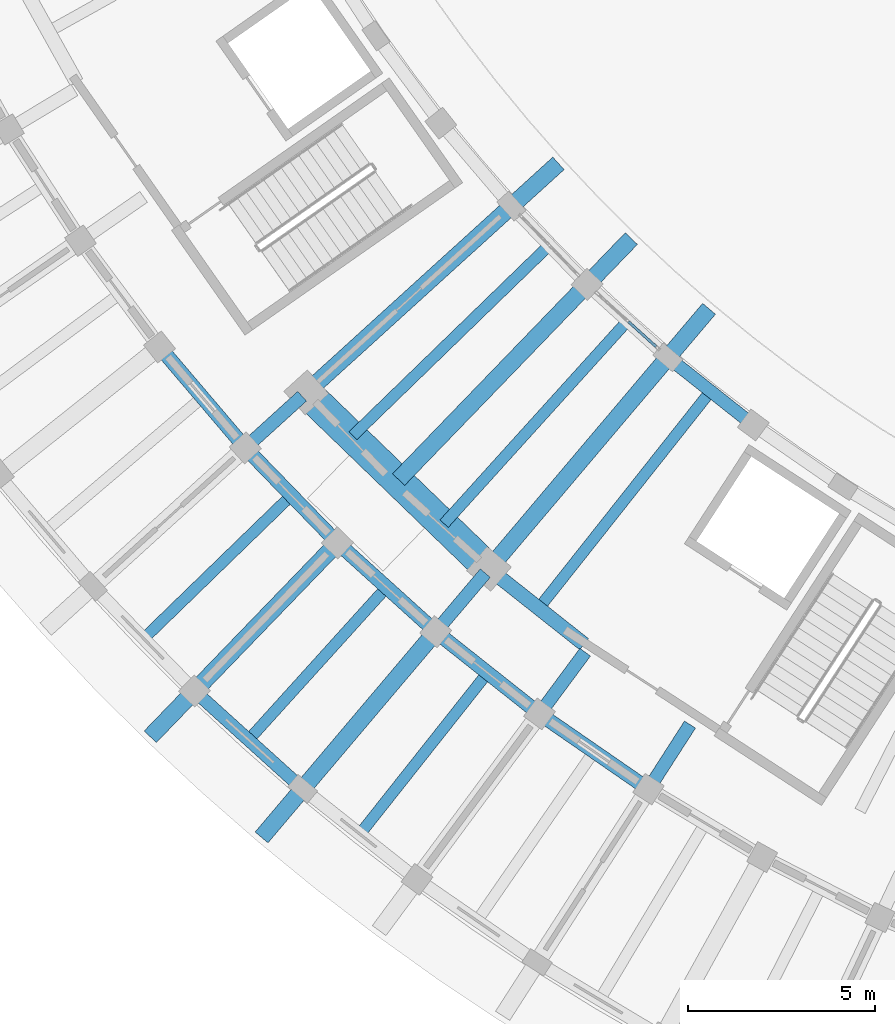
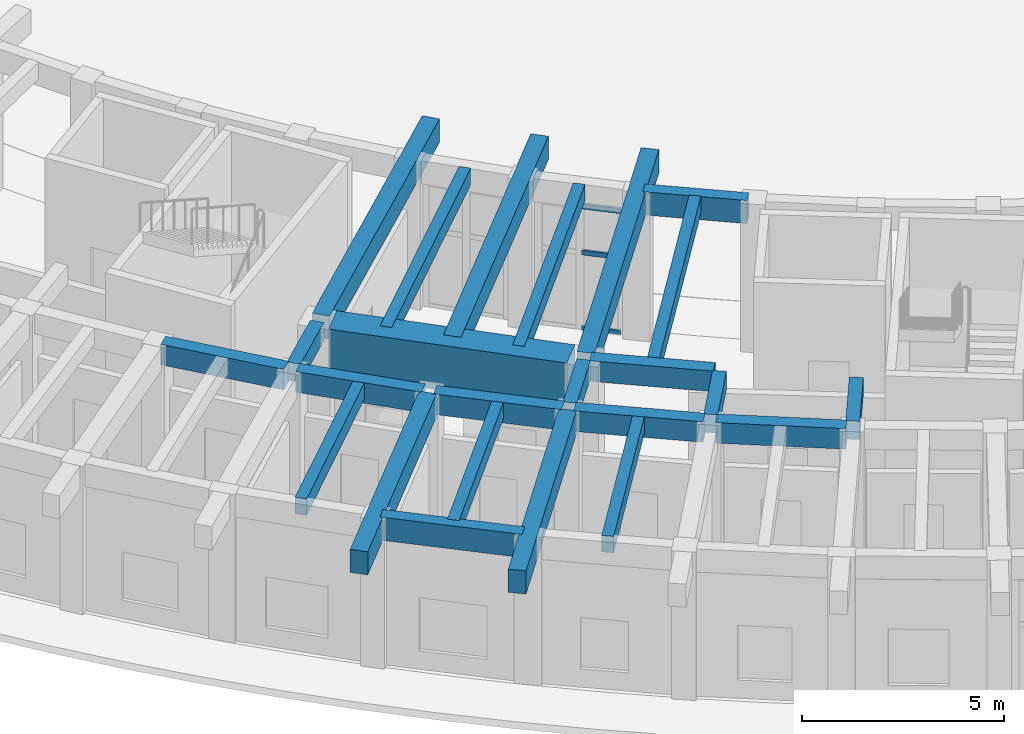
# One storey, part 8 of 132: 24 beams, 3 members, 1 element without a shape of its own.
"""IFC4 building model written with IfcOpenShell, lengths in metres."""

from ifc_helpers import new_model, si_unit, direction, frame, origin, origin_2d, place, context, subcontext, project, spatial, rectangle, hollow_rectangle, extrude, material, material_profile, profile_set, type_object, element, aggregate, save


model = new_model("IFC4")

# Units and contexts
model_context = context("Model", 3, precision=1e-05, world=origin(), true_north=direction((0.0, 1.0)))
body_context = subcontext(model_context, "Body", "Model", "MODEL_VIEW")
ifc_project = project(units=[si_unit("LENGTHUNIT", "METRE"), si_unit("AREAUNIT", "SQUARE_METRE"), si_unit("VOLUMEUNIT", "CUBIC_METRE"), si_unit("PLANEANGLEUNIT", "RADIAN"), si_unit("MASSUNIT", "GRAM", prefix="KILO")], contexts=[model_context])

# Site, building, storey
site_placement = place(None, origin())
site = spatial("IfcSite", under=ifc_project, at=site_placement, CompositionType="ELEMENT")
building_placement = place(site_placement, origin())
building = spatial("IfcBuilding", under=site, at=building_placement, Name="Tanwirah Colonnade Gardens", CompositionType="ELEMENT")
storey_placement = place(building_placement, origin())
storey = spatial("IfcBuildingStorey", under=building, at=storey_placement, Name="L00", CompositionType="ELEMENT", Elevation=0.0)

# Beams
ifc_material_1 = material(Name="Precast concrete C40/50", Category="concrete")
ifc_material_profile_1 = material_profile(ifc_material_1, rectangle(XDim=0.35009765625, YDim=0.550048828125, at=origin_2d()), Name="PC-BM 350x550")
ifc_profile_set_1 = profile_set([ifc_material_profile_1], Name="Precast concrete C40/50")
beam_type_1 = type_object("IfcBeamType", Name="BM-PC350A", PredefinedType="BEAM", material=ifc_profile_set_1)
beam_1_placement = place(storey_placement, frame((26.508544921875, 29.536865234375, 4.2099609375), z_axis=(-0.740219127015, -0.672365707038, 0.0), x_axis=(0.672365707038, -0.740219127015, 0.0)))
element("IfcBeam", 1, at=beam_1_placement, inside=storey, type_object=beam_type_1, Name="Block C L00 Corridor Tie Beam 7", PredefinedType="BEAM", context=body_context, shape_type="SweptSolid", body=[
    extrude(rectangle(XDim=0.35009765625, YDim=0.550048828125, at=origin_2d()), origin(), (0.0, 0.0, 1.0), 1.899658203125),
])
for number, where, z_axis, x_axis, name in (
    (2, (31.401611328125, 24.81201171875, 4.2099609375), (-0.646155325581, -0.763205932382, 0.0), (0.763205932382, -0.646155325581, 0.0), "Block C L00 Corridor Tie Beam 9"),
    (3, (34.0693359375, 22.699462890625, 4.2099609375), (-0.594889497099, -0.803807493273, 0.0), (0.803807493273, -0.594889497099, 0.0), "Block C L00 Corridor Tie Beam 10"),
):
    element("IfcBeam", number, at=place(storey_placement, frame(where, z_axis=z_axis, x_axis=x_axis)), inside=storey, type_object=beam_type_1, Name=name, PredefinedType="BEAM", context=body_context, shape_type="SweptSolid", body=[
        extrude(rectangle(XDim=0.35009765625, YDim=0.550048828125, at=origin_2d()), origin(), (0.0, 0.0, 1.0), 1.900146484375),
    ])
beam_2_placement = place(storey_placement, frame((36.869384765625, 20.765869140625, 4.2099609375), z_axis=(-0.540984881989, -0.841032316537, 0.0), x_axis=(0.841032316537, -0.540984881989, 0.0)))
element("IfcBeam", 4, at=beam_2_placement, inside=storey, type_object=beam_type_1, Name="Block C L00 Corridor Tie Beam 11", PredefinedType="BEAM", context=body_context, shape_type="SweptSolid", body=[
    extrude(rectangle(XDim=0.35009765625, YDim=0.550048828125, at=origin_2d()), origin(), (0.0, 0.0, 1.0), 1.89990234375),
])
ifc_material_profile_2 = material_profile(ifc_material_1, rectangle(XDim=0.3798828125, YDim=0.6201171875, at=origin_2d()), Name="PC-BM 380x620")
ifc_profile_set_2 = profile_set([ifc_material_profile_2], Name="Precast concrete C40/50")
beam_type_2 = type_object("IfcBeamType", Name="BM-PC380", PredefinedType="BEAM", material=ifc_profile_set_2)
for number, where, z_axis, x_axis, name in (
    (5, (22.797119140625, 30.73876953125, 4.175048828125), (0.6478235549, -0.761790418499, 0.0), (0.761790418499, 0.6478235549, 0.0), "Block C L00 Circumferential Beam 6-R2"),
    (6, (25.095703125, 28.05078125, 4.175048828125), (0.696238887656, -0.717810149911, 0.0), (0.717810149911, 0.696238887656, 0.0), "Block C L00 Circumferential Beam 7-R2"),
):
    element("IfcBeam", number, at=place(storey_placement, frame(where, z_axis=z_axis, x_axis=x_axis)), inside=storey, type_object=beam_type_2, Name=name, PredefinedType="BEAM", context=body_context, shape_type="SweptSolid", body=[
        extrude(rectangle(XDim=0.3798828125, YDim=0.6201171875, at=origin_2d()), origin(), (0.0, 0.0, 1.0), 3.23681640625),
    ])
beam_3_placement = place(storey_placement, frame((27.56494140625, 25.51904296875, 4.175048828125), z_axis=(0.741701929733, -0.670729638104, 0.0), x_axis=(0.670729638104, 0.741701929733, 0.0)))
element("IfcBeam", 7, at=beam_3_placement, inside=storey, type_object=beam_type_2, Name="Block C L00 Circumferential Beam 8-R2", PredefinedType="BEAM", context=body_context, shape_type="SweptSolid", body=[
    extrude(rectangle(XDim=0.3798828125, YDim=0.6201171875, at=origin_2d()), origin(), (0.0, 0.0, 1.0), 3.237060546875),
])
beam_4_placement = place(storey_placement, frame((31.615966796875, 24.833251953125, 4.175048828125), z_axis=(0.783962588163, -0.62080807047, 0.0), x_axis=(0.62080807047, 0.783962588163, 0.0)))
element("IfcBeam", 8, at=beam_4_placement, inside=storey, type_object=beam_type_2, Name="Block C L00 Circumferential Beam 9-R1", PredefinedType="BEAM", context=body_context, shape_type="SweptSolid", body=[
    extrude(rectangle(XDim=0.3798828125, YDim=0.6201171875, at=origin_2d()), origin(), (0.0, 0.0, 1.0), 3.093017578125),
])
beam_5_placement = place(storey_placement, frame((30.194580078125, 23.154052734375, 4.175048828125), z_axis=(0.783993819374, -0.620768629349, 0.0), x_axis=(0.620768629349, 0.783993819374, 0.0)))
element("IfcBeam", 9, at=beam_5_placement, inside=storey, type_object=beam_type_2, Name="Block C L00 Circumferential Beam 9-R2", PredefinedType="BEAM", context=body_context, shape_type="SweptSolid", body=[
    extrude(rectangle(XDim=0.3798828125, YDim=0.6201171875, at=origin_2d()), origin(), (0.0, 0.0, 1.0), 3.23681640625),
])
beam_6_placement = place(storey_placement, frame((32.97314453125, 20.96630859375, 4.175048828125), z_axis=(0.822889344221, -0.568201660651, 0.0), x_axis=(0.568201660651, 0.822889344221, 0.0)))
element("IfcBeam", 10, at=beam_6_placement, inside=storey, type_object=beam_type_2, Name="Block C L00 Circumferential Beam 10-R2", PredefinedType="BEAM", context=body_context, shape_type="SweptSolid", body=[
    extrude(rectangle(XDim=0.3798828125, YDim=0.6201171875, at=origin_2d()), origin(), (0.0, 0.0, 1.0), 3.237060546875),
])
ifc_material_2 = material(Name="Precast concrete C45/55", Category="concrete")
ifc_material_profile_3 = material_profile(ifc_material_2, rectangle(XDim=0.449951171875, YDim=0.699951171875, at=origin_2d()), Name="PC-BM 450x700")
ifc_profile_set_3 = profile_set([ifc_material_profile_3], Name="Precast concrete C45/55")
beam_type_3 = type_object("IfcBeamType", Name="BM-PC450", PredefinedType="BEAM", material=ifc_profile_set_3)
for number, where, z_axis, x_axis, name in (
    (11, (26.730712890625, 29.738525390625, 4.135009765625), (0.740212791446, 0.672372681911, 0.0), (-0.672372681911, 0.740212791446, 0.0), "Block C L00 Inner Radial Precast Girder 7"),
    (12, (29.086181640625, 27.31005859375, 4.135009765625), (0.694655848402, 0.719342235852, 0.0), (-0.719342235852, 0.694655848402, 0.0), "Block C L00 Inner Radial Precast Girder 8"),
):
    element("IfcBeam", number, at=place(storey_placement, frame(where, z_axis=z_axis, x_axis=x_axis)), inside=storey, type_object=beam_type_3, Name=name, PredefinedType="BEAM", context=body_context, shape_type="SweptSolid", body=[
        extrude(rectangle(XDim=0.449951171875, YDim=0.699951171875, at=origin_2d()), origin(), (0.0, 0.0, 1.0), 8.9501953125),
    ])
beam_7_placement = place(storey_placement, frame((27.349609375, 25.51171875, 4.135009765625), z_axis=(-0.69467114255, -0.719327466254, 0.0), x_axis=(0.719327466254, -0.69467114255, 0.0)))
element("IfcBeam", 13, at=beam_7_placement, inside=storey, type_object=beam_type_3, Name="Block C L00 Outer Radial Precast Girder 8", PredefinedType="BEAM", context=body_context, shape_type="SweptSolid", body=[
    extrude(rectangle(XDim=0.449951171875, YDim=0.699951171875, at=origin_2d()), origin(), (0.0, 0.0, 1.0), 7.050048828125),
])
beam_8_placement = place(storey_placement, frame((31.595458984375, 25.040771484375, 4.135009765625), z_axis=(0.64611097415, 0.763243479554, 0.0), x_axis=(-0.763243479554, 0.64611097415, 0.0)))
element("IfcBeam", 14, at=beam_8_placement, inside=storey, type_object=beam_type_3, Name="Block C L00 Inner Radial Precast Girder 9", PredefinedType="BEAM", context=body_context, shape_type="SweptSolid", body=[
    extrude(rectangle(XDim=0.449951171875, YDim=0.699951171875, at=origin_2d()), origin(), (0.0, 0.0, 1.0), 8.949951171875),
])
beam_9_placement = place(storey_placement, frame((29.97998046875, 23.1328125, 4.135009765625), z_axis=(-0.646119193339, -0.763236521663, 0.0), x_axis=(0.763236521663, -0.646119193339, 0.0)))
element("IfcBeam", 15, at=beam_9_placement, inside=storey, type_object=beam_type_3, Name="Block C L00 Outer Radial Precast Girder 9", PredefinedType="BEAM", context=body_context, shape_type="SweptSolid", body=[
    extrude(rectangle(XDim=0.449951171875, YDim=0.699951171875, at=origin_2d()), origin(), (0.0, 0.0, 1.0), 7.050048828125),
])

# Curtain wall, members
ifc_material_3 = material(Name="Bronze-anodised aluminium and solar-control low-E glass", Category="aluminium")
curtain_wall_type = type_object("IfcCurtainWallType", Name="CW-GDN", PredefinedType="NOTDEFINED", material=ifc_material_3)
curtain_wall_placement = place(storey_placement, origin())
curtain_wall = element("IfcCurtainWall", 16, at=curtain_wall_placement, inside=storey, type_object=curtain_wall_type, Name="Curtain Wall CW-C-L00-IN-08", PredefinedType="NOTDEFINED")
ifc_material_4 = material(Name="Bronze-anodised aluminium", Category="aluminium")
ifc_material_profile_4 = material_profile(ifc_material_4, hollow_rectangle(XDim=0.070068359375, YDim=0.14990234375, WallThickness=0.00390625, at=origin_2d()), Name="CW-TRN 70x150x4")
ifc_profile_set_4 = profile_set([ifc_material_profile_4], Name="Bronze-anodised aluminium")
member_type = type_object("IfcMemberType", Name="CWT-70x150", PredefinedType="USERDEFINED", material=ifc_profile_set_4)
member_1_placement = place(storey_placement, frame((35.22705078125, 31.5263671875, 0.034912109375), z_axis=(0.741746192232, -0.670680688785, 0.0), x_axis=(0.670680688785, 0.741746192232, 0.0)))
member_1 = element("IfcMember", 17, at=member_1_placement, type_object=member_type, Name="CW-GDN transom 2.1", ObjectType="TRANSOM", PredefinedType="USERDEFINED", context=body_context, shape_type="SweptSolid", body=[
    extrude(hollow_rectangle(XDim=0.070068359375, YDim=0.14990234375, WallThickness=0.00390625, at=origin_2d()), origin(), (0.0, 0.0, 1.0), 0.989501953125),
])
member_2_placement = place(storey_placement, frame((35.22705078125, 31.5263671875, 2.328125), z_axis=(0.741746192232, -0.670680688785, 0.0), x_axis=(0.670680688785, 0.741746192232, 0.0)))
member_2 = element("IfcMember", 18, at=member_2_placement, type_object=member_type, Name="CW-GDN transom 2.2", ObjectType="TRANSOM", PredefinedType="USERDEFINED", context=body_context, shape_type="SweptSolid", body=[
    extrude(hollow_rectangle(XDim=0.070068359375, YDim=0.14990234375, WallThickness=0.00390625, at=origin_2d()), origin(), (0.0, 0.0, 1.0), 0.989501953125),
])
member_3_placement = place(storey_placement, frame((35.22705078125, 31.5263671875, 3.719970703125), z_axis=(0.741746192232, -0.670680688785, 0.0), x_axis=(0.670680688785, 0.741746192232, 0.0)))
member_3 = element("IfcMember", 19, at=member_3_placement, type_object=member_type, Name="CW-GDN transom 2.3", ObjectType="TRANSOM", PredefinedType="USERDEFINED", context=body_context, shape_type="SweptSolid", body=[
    extrude(hollow_rectangle(XDim=0.070068359375, YDim=0.14990234375, WallThickness=0.00390625, at=origin_2d()), origin(), (0.0, 0.0, 1.0), 0.989501953125),
])
aggregate(curtain_wall, [member_1, member_2, member_3])

# Beams
ifc_material_profile_5 = material_profile(ifc_material_1, rectangle(XDim=0.300048828125, YDim=0.5, at=origin_2d()), Name="PC-JST 300x500")
ifc_profile_set_5 = profile_set([ifc_material_profile_5], Name="Precast concrete C40/50")
beam_type_4 = type_object("IfcBeamType", Name="JST-PC300", PredefinedType="JOIST", material=ifc_profile_set_5)
beam_10_placement = place(storey_placement, frame((26.115478515625, 26.785400390625, 4.235107421875), z_axis=(-0.717816036263, -0.696232818878, 0.0), x_axis=(0.696232818878, -0.717816036263, 0.0)))
element("IfcBeam", 20, at=beam_10_placement, inside=storey, type_object=beam_type_4, Name="Block C L00 Precast Floor Joist 7", PredefinedType="JOIST", context=body_context, shape_type="SweptSolid", body=[
    extrude(rectangle(XDim=0.300048828125, YDim=0.5, at=origin_2d()), origin(), (0.0, 0.0, 1.0), 5.260009765625),
])
beam_11_placement = place(storey_placement, frame((33.006591796875, 33.46923828125, 4.235107421875), z_axis=(-0.717816218075, -0.69623263143, 0.0), x_axis=(0.69623263143, -0.717816218075, 0.0)))
element("IfcBeam", 21, at=beam_11_placement, inside=storey, type_object=beam_type_4, Name="Block C L00 Inner Precast Floor Joist 7", PredefinedType="JOIST", context=body_context, shape_type="SweptSolid", body=[
    extrude(rectangle(XDim=0.300048828125, YDim=0.5, at=origin_2d()), origin(), (0.0, 0.0, 1.0), 7.16015625),
])
beam_12_placement = place(storey_placement, frame((28.66552734375, 24.322998046875, 4.235107421875), z_axis=(-0.670780841255, -0.741655622918, 0.0), x_axis=(0.741655622918, -0.670780841255, 0.0)))
element("IfcBeam", 22, at=beam_12_placement, inside=storey, type_object=beam_type_4, Name="Block C L00 Precast Floor Joist 8", PredefinedType="JOIST", context=body_context, shape_type="SweptSolid", body=[
    extrude(rectangle(XDim=0.300048828125, YDim=0.5, at=origin_2d()), origin(), (0.0, 0.0, 1.0), 5.260009765625),
])
beam_13_placement = place(storey_placement, frame((35.104736328125, 31.443115234375, 4.235107421875), z_axis=(-0.670773136608, -0.741662591214, 0.0), x_axis=(0.741662591214, -0.670773136608, 0.0)))
element("IfcBeam", 23, at=beam_13_placement, inside=storey, type_object=beam_type_4, Name="Block C L00 Inner Precast Floor Joist 8", PredefinedType="JOIST", context=body_context, shape_type="SweptSolid", body=[
    extrude(rectangle(XDim=0.300048828125, YDim=0.5, at=origin_2d()), origin(), (0.0, 0.0, 1.0), 7.159912109375),
])
beam_14_placement = place(storey_placement, frame((31.370849609375, 22.03271484375, 4.235107421875), z_axis=(-0.620787347885, -0.783978997617, 0.0), x_axis=(0.783978997617, -0.620787347885, 0.0)))
element("IfcBeam", 24, at=beam_14_placement, inside=storey, type_object=beam_type_4, Name="Block C L00 Precast Floor Joist 9", PredefinedType="JOIST", context=body_context, shape_type="SweptSolid", body=[
    extrude(rectangle(XDim=0.300048828125, YDim=0.5, at=origin_2d()), origin(), (0.0, 0.0, 1.0), 5.260009765625),
])
beam_15_placement = place(storey_placement, frame((37.33056640625, 29.55859375, 4.235107421875), z_axis=(-0.620803379809, -0.783966302603, 0.0), x_axis=(0.783966302603, -0.620803379809, 0.0)))
element("IfcBeam", 25, at=beam_15_placement, inside=storey, type_object=beam_type_4, Name="Block C L00 Inner Precast Floor Joist 9", PredefinedType="JOIST", context=body_context, shape_type="SweptSolid", body=[
    extrude(rectangle(XDim=0.300048828125, YDim=0.5, at=origin_2d()), origin(), (0.0, 0.0, 1.0), 7.159912109375),
])
ifc_material_profile_6 = material_profile(ifc_material_2, rectangle(XDim=0.340087890625, YDim=0.699951171875, at=origin_2d()), Name="PC-SP 340x700")
ifc_profile_set_6 = profile_set([ifc_material_profile_6], Name="Precast concrete C45/55")
beam_type_5 = type_object("IfcBeamType", Name="SP-PC340", PredefinedType="SPANDREL", material=ifc_profile_set_6)
beam_16_placement = place(storey_placement, frame((23.744384765625, 21.562744140625, 4.135009765625), z_axis=(0.741682092868, -0.670751573325, 0.0), x_axis=(0.670751573325, 0.741682092868, 0.0)))
element("IfcBeam", 26, at=beam_16_placement, inside=storey, type_object=beam_type_5, Name="Block C L00 Circumferential Beam 8-R3", PredefinedType="SPANDREL", context=body_context, shape_type="SweptSolid", body=[
    extrude(rectangle(XDim=0.340087890625, YDim=0.699951171875, at=origin_2d()), origin(), (0.0, 0.0, 1.0), 3.596923828125),
])
beam_17_placement = place(storey_placement, frame((36.3974609375, 30.481201171875, 4.135009765625), z_axis=(0.783945239852, -0.62082997746, 0.0), x_axis=(0.62082997746, 0.783945239852, 0.0)))
element("IfcBeam", 27, at=beam_17_placement, inside=storey, type_object=beam_type_5, Name="Block C L00 Circumferential Beam 9-R0", PredefinedType="SPANDREL", context=body_context, shape_type="SweptSolid", body=[
    extrude(rectangle(XDim=0.340087890625, YDim=0.699951171875, at=origin_2d()), origin(), (0.0, 0.0, 1.0), 2.60888671875),
])
ifc_material_5 = material(Name="Concrete C50/60", Category="concrete")
ifc_material_profile_7 = material_profile(ifc_material_5, rectangle(XDim=0.820068359375, YDim=1.360107421875, at=origin_2d()), Name="RC-TG 820x1360")
ifc_profile_set_7 = profile_set([ifc_material_profile_7], Name="Concrete C50/60")
beam_type_6 = type_object("IfcBeamType", Name="TG-RC750", PredefinedType="BEAM", material=ifc_profile_set_7)
beam_18_placement = place(storey_placement, frame((26.871337890625, 29.39453125, 3.804931640625), z_axis=(0.719341977251, -0.694656116193, 0.0), x_axis=(0.694656116193, 0.719341977251, 0.0)))
element("IfcBeam", 28, at=beam_18_placement, inside=storey, type_object=beam_type_6, Name="Block C L00 Entrance Lobby Transfer Girder", PredefinedType="BEAM", context=body_context, shape_type="SweptSolid", body=[
    extrude(rectangle(XDim=0.820068359375, YDim=1.360107421875, at=origin_2d()), origin(), (0.0, 0.0, 1.0), 6.082275390625),
])

save(model, "model.ifc")
